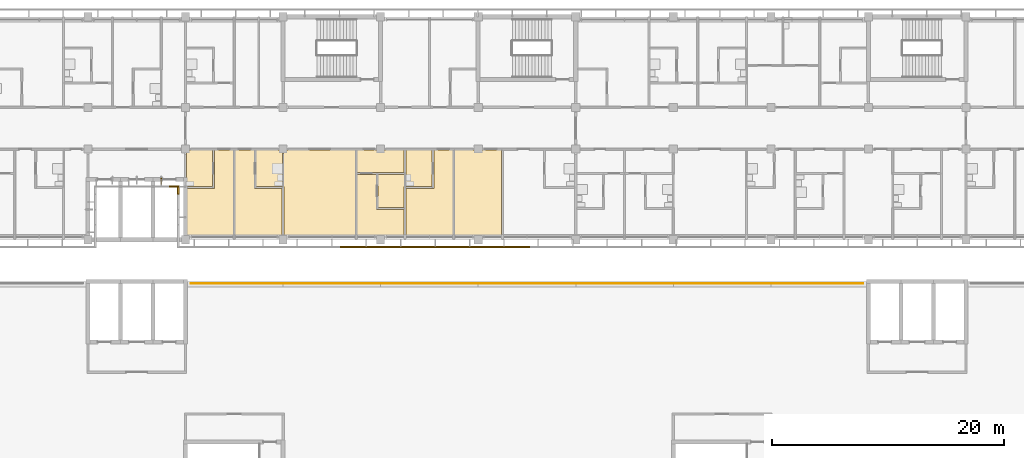
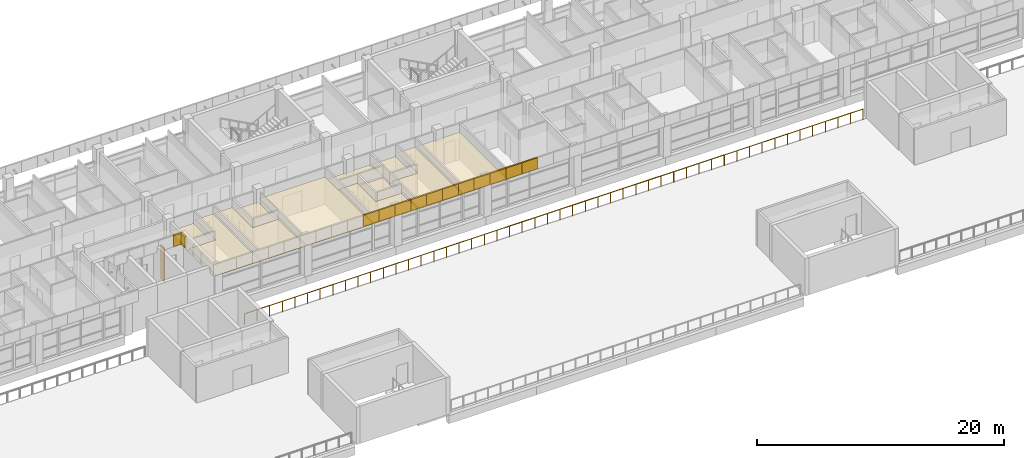
# One storey, part 39 of 46: 24 coverings, 1 railing, 1 shading device.
"""IFC4 building model written with IfcOpenShell, lengths in metres."""

from ifc_helpers import new_model, si_unit, direction, frame, origin, origin_2d, place, context, subcontext, project, spatial, polyline, rectangle, circle, outline, extrude, material, layer, layer_set, material_profile, profile_set, type_object, element, save


model = new_model("IFC4")

# Units and contexts
model_context = context("Model", 3, precision=1e-05, world=origin(), true_north=direction((0.0, 1.0)))
body_context = subcontext(model_context, "Body", "Model", "MODEL_VIEW")
ifc_project = project(units=[si_unit("LENGTHUNIT", "METRE"), si_unit("AREAUNIT", "SQUARE_METRE"), si_unit("VOLUMEUNIT", "CUBIC_METRE"), si_unit("PLANEANGLEUNIT", "RADIAN"), si_unit("MASSUNIT", "GRAM", prefix="KILO")], contexts=[model_context])

# Site, building, storey
site_placement = place(None, origin())
site = spatial("IfcSite", under=ifc_project, at=site_placement, CompositionType="ELEMENT")
building_placement = place(site_placement, origin())
building = spatial("IfcBuilding", under=site, at=building_placement, Name="Bougainvillea Quay General Hospital", CompositionType="ELEMENT")
storey_placement = place(building_placement, frame((0.0, 0.0, 28.800048828125)))
storey = spatial("IfcBuildingStorey", under=building, at=storey_placement, Name="L06", CompositionType="ELEMENT", Elevation=28.800048828125)

# Coverings
ifc_material_1 = material(Name="Powder-coated aluminium fascia, white", Category="aluminium")
ifc_layer_1 = layer(ifc_material_1, 0.14990234375)
ifc_layer_set_1 = layer_set([ifc_layer_1], Name="Powder-coated aluminium fascia, white")
covering_type_1 = type_object("IfcCoveringType", Name="Aluminium fascia band white 150x1100", PredefinedType="CLADDING", material=ifc_layer_set_1)
covering_1_placement = place(storey_placement, frame((74.199951171875, 145.050048828125, 3.349853515625), z_axis=(0.0, 0.0, 1.0), x_axis=(1.0, 0.0, 0.0)))
element("IfcCovering", 1, at=covering_1_placement, inside=storey, type_object=covering_type_1, Name="Fascia band white e0 136", PredefinedType="CLADDING", context=body_context, shape_type="SweptSolid", body=[
    extrude(outline(polyline([(0.0, 0.0), (0.85009765625, 0.0), (0.699951171875, -0.150146484375), (0.0, -0.150146484375), (0.0, 0.0)])), origin(), (0.0, 0.0, 1.0), 1.10009765625),
])
covering_2_placement = place(storey_placement, frame((75.050048828125, 145.050048828125, 3.349853515625), z_axis=(0.0, 0.0, 1.0), x_axis=(0.0, -1.0, 0.0)))
element("IfcCovering", 2, at=covering_2_placement, inside=storey, type_object=covering_type_1, Name="Fascia band white e0 137", PredefinedType="CLADDING", context=body_context, shape_type="SweptSolid", body=[
    extrude(outline(polyline([(0.0, 0.0), (0.75, 0.0), (0.75, -0.150146484375), (0.150146484375, -0.150146484375), (0.0, 0.0)])), origin(), (0.0, 0.0, 1.0), 1.10009765625),
])
covering_3_placement = place(storey_placement, frame((88.941162109375, 139.85009765625, 3.349853515625), z_axis=(0.0, 0.0, 1.0), x_axis=(1.0, 0.0, 0.0)))
element("IfcCovering", 3, at=covering_3_placement, inside=storey, type_object=covering_type_1, Name="Fascia band white e0 150", PredefinedType="CLADDING", context=body_context, shape_type="SweptSolid", body=[
    extrude(outline(polyline([(0.0, 0.0), (1.482421875, 0.0), (1.482421875, -0.150146484375), (0.0, -0.150146484375), (0.0, 0.0)])), origin(), (0.0, 0.0, 1.0), 1.10009765625),
])
covering_4_placement = place(storey_placement, frame((90.423583984375, 139.85009765625, 3.349853515625), z_axis=(0.0, 0.0, 1.0), x_axis=(1.0, 0.0, 0.0)))
element("IfcCovering", 4, at=covering_4_placement, inside=storey, type_object=covering_type_1, Name="Fascia band white e0 151", PredefinedType="CLADDING", context=body_context, shape_type="SweptSolid", body=[
    extrude(outline(polyline([(0.0, 0.0), (1.482177734375, 0.0), (1.482177734375, -0.150146484375), (0.0, -0.150146484375), (0.0, 0.0)])), origin(), (0.0, 0.0, 1.0), 1.10009765625),
])
for number, where, z_axis, x_axis, name in (
    (5, (91.90576171875, 139.85009765625, 3.349853515625), (0.0, 0.0, 1.0), (1.0, 0.0, 0.0), "Fascia band white e0 152"),
    (6, (93.38818359375, 139.85009765625, 3.349853515625), (0.0, 0.0, 1.0), (1.0, 0.0, 0.0), "Fascia band white e0 153"),
    (7, (94.87060546875, 139.85009765625, 3.349853515625), (0.0, 0.0, 1.0), (1.0, 0.0, 0.0), "Fascia band white e0 154"),
):
    element("IfcCovering", number, at=place(storey_placement, frame(where, z_axis=z_axis, x_axis=x_axis)), inside=storey, type_object=covering_type_1, Name=name, PredefinedType="CLADDING", context=body_context, shape_type="SweptSolid", body=[
        extrude(outline(polyline([(0.0, 0.0), (1.482421875, 0.0), (1.482421875, -0.150146484375), (0.0, -0.150146484375), (0.0, 0.0)])), origin(), (0.0, 0.0, 1.0), 1.10009765625),
    ])
covering_5_placement = place(storey_placement, frame((96.35302734375, 139.85009765625, 3.349853515625), z_axis=(0.0, 0.0, 1.0), x_axis=(1.0, 0.0, 0.0)))
element("IfcCovering", 8, at=covering_5_placement, inside=storey, type_object=covering_type_1, Name="Fascia band white e0 155", PredefinedType="CLADDING", context=body_context, shape_type="SweptSolid", body=[
    extrude(outline(polyline([(0.0, 0.0), (1.482177734375, 0.0), (1.482177734375, -0.150146484375), (0.0, -0.150146484375), (0.0, 0.0)])), origin(), (0.0, 0.0, 1.0), 1.10009765625),
])
for number, where, z_axis, x_axis, name in (
    (9, (97.835205078125, 139.85009765625, 3.349853515625), (0.0, 0.0, 1.0), (1.0, 0.0, 0.0), "Fascia band white e0 156"),
    (10, (99.317626953125, 139.85009765625, 3.349853515625), (0.0, 0.0, 1.0), (1.0, 0.0, 0.0), "Fascia band white e0 157"),
    (11, (100.800048828125, 139.85009765625, 3.349853515625), (0.0, 0.0, 1.0), (1.0, 0.0, 0.0), "Fascia band white e0 158"),
):
    element("IfcCovering", number, at=place(storey_placement, frame(where, z_axis=z_axis, x_axis=x_axis)), inside=storey, type_object=covering_type_1, Name=name, PredefinedType="CLADDING", context=body_context, shape_type="SweptSolid", body=[
        extrude(outline(polyline([(0.0, 0.0), (1.482421875, 0.0), (1.482421875, -0.150146484375), (0.0, -0.150146484375), (0.0, 0.0)])), origin(), (0.0, 0.0, 1.0), 1.10009765625),
    ])
covering_6_placement = place(storey_placement, frame((102.282470703125, 139.85009765625, 3.349853515625), z_axis=(0.0, 0.0, 1.0), x_axis=(1.0, 0.0, 0.0)))
element("IfcCovering", 12, at=covering_6_placement, inside=storey, type_object=covering_type_1, Name="Fascia band white e0 159", PredefinedType="CLADDING", context=body_context, shape_type="SweptSolid", body=[
    extrude(outline(polyline([(0.0, 0.0), (1.482177734375, 0.0), (1.482177734375, -0.150146484375), (0.0, -0.150146484375), (0.0, 0.0)])), origin(), (0.0, 0.0, 1.0), 1.10009765625),
])
covering_7_placement = place(storey_placement, frame((103.7646484375, 139.85009765625, 3.349853515625), z_axis=(0.0, 0.0, 1.0), x_axis=(1.0, 0.0, 0.0)))
element("IfcCovering", 13, at=covering_7_placement, inside=storey, type_object=covering_type_1, Name="Fascia band white e0 160", PredefinedType="CLADDING", context=body_context, shape_type="SweptSolid", body=[
    extrude(outline(polyline([(0.0, 0.0), (1.482421875, 0.0), (1.482421875, -0.150146484375), (0.0, -0.150146484375), (0.0, 0.0)])), origin(), (0.0, 0.0, 1.0), 1.10009765625),
])

# Railing
ifc_material_2 = material(Name="Stainless steel guard, brushed grade 316", Category="steel")
railing_type = type_object("IfcRailingType", Name="Stainless steel guard 1100", PredefinedType="GUARDRAIL", material=ifc_material_2)
railing_placement = place(storey_placement, frame((76.050048828125, 136.64990234375, 0.0)))
element("IfcRailing", 14, at=railing_placement, inside=storey, type_object=railing_type, Name="Guard G05", PredefinedType="GUARDRAIL", context=body_context, shape_type="SweptSolid", body=[
    extrude(circle(Radius=0.02392578125, at=origin_2d()), frame((0.0, 0.0, 1.076171875), z_axis=(1.0, 0.0, 0.0), x_axis=(0.0, 1.0, 0.0)), (0.0, 0.0, 1.0), 57.89990234375),
    extrude(circle(Radius=0.02099609375, at=origin_2d()), origin(), (0.0, 0.0, 1.0), 1.052001953125),
    extrude(circle(Radius=0.02099609375, at=origin_2d()), frame((1.181640625, 0.0, 0.0)), (0.0, 0.0, 1.0), 1.052001953125),
    extrude(circle(Radius=0.02099609375, at=origin_2d()), frame((2.36328125, 0.0, 0.0)), (0.0, 0.0, 1.0), 1.052001953125),
    extrude(circle(Radius=0.02099609375, at=origin_2d()), frame((3.544921875, 0.0, 0.0)), (0.0, 0.0, 1.0), 1.052001953125),
    extrude(circle(Radius=0.02099609375, at=origin_2d()), frame((4.7265625, 0.0, 0.0)), (0.0, 0.0, 1.0), 1.052001953125),
    extrude(circle(Radius=0.02099609375, at=origin_2d()), frame((5.908203125, 0.0, 0.0)), (0.0, 0.0, 1.0), 1.052001953125),
    extrude(circle(Radius=0.02099609375, at=origin_2d()), frame((7.08984375, 0.0, 0.0)), (0.0, 0.0, 1.0), 1.052001953125),
    extrude(circle(Radius=0.02099609375, at=origin_2d()), frame((8.271484375, 0.0, 0.0)), (0.0, 0.0, 1.0), 1.052001953125),
    extrude(circle(Radius=0.02099609375, at=origin_2d()), frame((9.453125, 0.0, 0.0)), (0.0, 0.0, 1.0), 1.052001953125),
    extrude(circle(Radius=0.02099609375, at=origin_2d()), frame((10.634765625, 0.0, 0.0)), (0.0, 0.0, 1.0), 1.052001953125),
    extrude(circle(Radius=0.02099609375, at=origin_2d()), frame((11.81640625, 0.0, 0.0)), (0.0, 0.0, 1.0), 1.052001953125),
    extrude(circle(Radius=0.02099609375, at=origin_2d()), frame((12.998046875, 0.0, 0.0)), (0.0, 0.0, 1.0), 1.052001953125),
    extrude(circle(Radius=0.02099609375, at=origin_2d()), frame((14.1796875, 0.0, 0.0)), (0.0, 0.0, 1.0), 1.052001953125),
    extrude(circle(Radius=0.02099609375, at=origin_2d()), frame((15.361083984375, 0.0, 0.0)), (0.0, 0.0, 1.0), 1.052001953125),
    extrude(circle(Radius=0.02099609375, at=origin_2d()), frame((16.542724609375, 0.0, 0.0)), (0.0, 0.0, 1.0), 1.052001953125),
    extrude(circle(Radius=0.02099609375, at=origin_2d()), frame((17.724365234375, 0.0, 0.0)), (0.0, 0.0, 1.0), 1.052001953125),
    extrude(circle(Radius=0.02099609375, at=origin_2d()), frame((18.906005859375, 0.0, 0.0)), (0.0, 0.0, 1.0), 1.052001953125),
    extrude(circle(Radius=0.02099609375, at=origin_2d()), frame((20.087646484375, 0.0, 0.0)), (0.0, 0.0, 1.0), 1.052001953125),
    extrude(circle(Radius=0.02099609375, at=origin_2d()), frame((21.269287109375, 0.0, 0.0)), (0.0, 0.0, 1.0), 1.052001953125),
    extrude(circle(Radius=0.02099609375, at=origin_2d()), frame((22.450927734375, 0.0, 0.0)), (0.0, 0.0, 1.0), 1.052001953125),
    extrude(circle(Radius=0.02099609375, at=origin_2d()), frame((23.632568359375, 0.0, 0.0)), (0.0, 0.0, 1.0), 1.052001953125),
    extrude(circle(Radius=0.02099609375, at=origin_2d()), frame((24.814208984375, 0.0, 0.0)), (0.0, 0.0, 1.0), 1.052001953125),
    extrude(circle(Radius=0.02099609375, at=origin_2d()), frame((25.995849609375, 0.0, 0.0)), (0.0, 0.0, 1.0), 1.052001953125),
    extrude(circle(Radius=0.02099609375, at=origin_2d()), frame((27.177490234375, 0.0, 0.0)), (0.0, 0.0, 1.0), 1.052001953125),
    extrude(circle(Radius=0.02099609375, at=origin_2d()), frame((28.359130859375, 0.0, 0.0)), (0.0, 0.0, 1.0), 1.052001953125),
    extrude(circle(Radius=0.02099609375, at=origin_2d()), frame((29.540771484375, 0.0, 0.0)), (0.0, 0.0, 1.0), 1.052001953125),
    extrude(circle(Radius=0.02099609375, at=origin_2d()), frame((30.722412109375, 0.0, 0.0)), (0.0, 0.0, 1.0), 1.052001953125),
    extrude(circle(Radius=0.02099609375, at=origin_2d()), frame((31.904052734375, 0.0, 0.0)), (0.0, 0.0, 1.0), 1.052001953125),
    extrude(circle(Radius=0.02099609375, at=origin_2d()), frame((33.085693359375, 0.0, 0.0)), (0.0, 0.0, 1.0), 1.052001953125),
    extrude(circle(Radius=0.02099609375, at=origin_2d()), frame((34.267333984375, 0.0, 0.0)), (0.0, 0.0, 1.0), 1.052001953125),
    extrude(circle(Radius=0.02099609375, at=origin_2d()), frame((35.448974609375, 0.0, 0.0)), (0.0, 0.0, 1.0), 1.052001953125),
    extrude(circle(Radius=0.02099609375, at=origin_2d()), frame((36.630615234375, 0.0, 0.0)), (0.0, 0.0, 1.0), 1.052001953125),
    extrude(circle(Radius=0.02099609375, at=origin_2d()), frame((37.812255859375, 0.0, 0.0)), (0.0, 0.0, 1.0), 1.052001953125),
    extrude(circle(Radius=0.02099609375, at=origin_2d()), frame((38.993896484375, 0.0, 0.0)), (0.0, 0.0, 1.0), 1.052001953125),
    extrude(circle(Radius=0.02099609375, at=origin_2d()), frame((40.175537109375, 0.0, 0.0)), (0.0, 0.0, 1.0), 1.052001953125),
    extrude(circle(Radius=0.02099609375, at=origin_2d()), frame((41.357177734375, 0.0, 0.0)), (0.0, 0.0, 1.0), 1.052001953125),
    extrude(circle(Radius=0.02099609375, at=origin_2d()), frame((42.538818359375, 0.0, 0.0)), (0.0, 0.0, 1.0), 1.052001953125),
    extrude(circle(Radius=0.02099609375, at=origin_2d()), frame((43.72021484375, 0.0, 0.0)), (0.0, 0.0, 1.0), 1.052001953125),
    extrude(circle(Radius=0.02099609375, at=origin_2d()), frame((44.90185546875, 0.0, 0.0)), (0.0, 0.0, 1.0), 1.052001953125),
    extrude(circle(Radius=0.02099609375, at=origin_2d()), frame((46.08349609375, 0.0, 0.0)), (0.0, 0.0, 1.0), 1.052001953125),
    extrude(circle(Radius=0.02099609375, at=origin_2d()), frame((47.26513671875, 0.0, 0.0)), (0.0, 0.0, 1.0), 1.052001953125),
    extrude(circle(Radius=0.02099609375, at=origin_2d()), frame((48.44677734375, 0.0, 0.0)), (0.0, 0.0, 1.0), 1.052001953125),
    extrude(circle(Radius=0.02099609375, at=origin_2d()), frame((49.62841796875, 0.0, 0.0)), (0.0, 0.0, 1.0), 1.052001953125),
    extrude(circle(Radius=0.02099609375, at=origin_2d()), frame((50.81005859375, 0.0, 0.0)), (0.0, 0.0, 1.0), 1.052001953125),
    extrude(circle(Radius=0.02099609375, at=origin_2d()), frame((51.99169921875, 0.0, 0.0)), (0.0, 0.0, 1.0), 1.052001953125),
    extrude(circle(Radius=0.02099609375, at=origin_2d()), frame((53.17333984375, 0.0, 0.0)), (0.0, 0.0, 1.0), 1.052001953125),
    extrude(circle(Radius=0.02099609375, at=origin_2d()), frame((54.35498046875, 0.0, 0.0)), (0.0, 0.0, 1.0), 1.052001953125),
    extrude(circle(Radius=0.02099609375, at=origin_2d()), frame((55.53662109375, 0.0, 0.0)), (0.0, 0.0, 1.0), 1.052001953125),
    extrude(circle(Radius=0.02099609375, at=origin_2d()), frame((56.71826171875, 0.0, 0.0)), (0.0, 0.0, 1.0), 1.052001953125),
    extrude(circle(Radius=0.02099609375, at=origin_2d()), frame((57.89990234375, 0.0, 0.0)), (0.0, 0.0, 1.0), 1.052001953125),
])

# Coverings
ifc_material_3 = material(Name="Mineral fibre ceiling tile")
ifc_layer_2 = layer(ifc_material_3, 0.030029296875)
ifc_layer_set_2 = layer_set([ifc_layer_2], Name="Mineral fibre ceiling tile")
covering_type_2 = type_object("IfcCoveringType", Name="Suspended ceiling mineral fibre tile", PredefinedType="CEILING", material=ifc_layer_set_2)
covering_8_placement = place(storey_placement, frame((0.0, 0.0, 2.699951171875)))
element("IfcCovering", 15, at=covering_8_placement, inside=storey, type_object=covering_type_2, Name="Ceiling Oncology Patient Room 06A12", PredefinedType="CEILING", context=body_context, shape_type="SweptSolid", body=[
    extrude(outline(polyline([(79.72509765625, 140.39990234375), (79.72509765625, 148.125), (78.074951171875, 148.125), (78.074951171875, 144.824951171875), (75.60009765625, 144.824951171875), (75.60009765625, 140.39990234375), (79.72509765625, 140.39990234375)])), origin(), (0.0, 0.0, 1.0), 0.030029296875),
])
covering_9_placement = place(storey_placement, frame((0.0, 0.0, 2.39990234375)))
element("IfcCovering", 16, at=covering_9_placement, inside=storey, type_object=covering_type_2, Name="Ceiling En-suite 06A12", PredefinedType="CEILING", context=body_context, shape_type="SweptSolid", body=[
    extrude(outline(polyline([(75.60009765625, 144.97509765625), (77.925048828125, 144.97509765625), (77.925048828125, 148.125), (75.699951171875, 148.125), (75.699951171875, 145.60009765625), (75.60009765625, 145.60009765625), (75.60009765625, 144.97509765625)])), origin(), (0.0, 0.0, 1.0), 0.030029296875),
])
covering_10_placement = place(storey_placement, frame((0.0, 0.0, 2.699951171875)))
element("IfcCovering", 17, at=covering_10_placement, inside=storey, type_object=covering_type_2, Name="Ceiling Oncology Patient Room 06A13", PredefinedType="CEILING", context=body_context, shape_type="SweptSolid", body=[
    extrude(outline(polyline([(83.925048828125, 140.39990234375), (83.925048828125, 144.824951171875), (81.52490234375, 144.824951171875), (81.52490234375, 148.125), (79.875, 148.125), (79.875, 140.39990234375), (83.925048828125, 140.39990234375)])), origin(), (0.0, 0.0, 1.0), 0.030029296875),
])
covering_11_placement = place(storey_placement, frame((0.0, 0.0, 2.39990234375)))
element("IfcCovering", 18, at=covering_11_placement, inside=storey, type_object=covering_type_2, Name="Ceiling En-suite 06A13", PredefinedType="CEILING", context=body_context, shape_type="SweptSolid", body=[
    extrude(outline(polyline([(83.949951171875, 148.125), (81.675048828125, 148.125), (81.675048828125, 144.97509765625), (83.949951171875, 144.97509765625), (83.949951171875, 148.125)])), origin(), (0.0, 0.0, 1.0), 0.030029296875),
])
covering_12_placement = place(storey_placement, frame((0.0, 0.0, 2.699951171875)))
element("IfcCovering", 19, at=covering_12_placement, inside=storey, type_object=covering_type_2, Name="Ceiling Nurses' Station 06A14", PredefinedType="CEILING", context=body_context, shape_type="SweptSolid", body=[
    extrude(outline(polyline([(90.22509765625, 140.39990234375), (90.22509765625, 148.125), (84.050048828125, 148.125), (84.050048828125, 144.97509765625), (84.074951171875, 144.97509765625), (84.074951171875, 140.39990234375), (90.22509765625, 140.39990234375)])), origin(), (0.0, 0.0, 1.0), 0.030029296875),
])
covering_13_placement = place(storey_placement, frame((0.0, 0.0, 2.699951171875)))
element("IfcCovering", 20, at=covering_13_placement, inside=storey, type_object=covering_type_2, Name="Ceiling Protective Isolation Room 06A15", PredefinedType="CEILING", context=body_context, shape_type="SweptSolid", body=[
    extrude(outline(polyline([(94.425048828125, 140.39990234375), (94.425048828125, 143.02490234375), (92.02490234375, 143.02490234375), (92.02490234375, 146.02490234375), (90.375, 146.02490234375), (90.375, 140.39990234375), (94.425048828125, 140.39990234375)])), origin(), (0.0, 0.0, 1.0), 0.030029296875),
])
covering_14_placement = place(storey_placement, frame((0.0, 0.0, 2.39990234375)))
element("IfcCovering", 21, at=covering_14_placement, inside=storey, type_object=covering_type_2, Name="Ceiling Isolation Anteroom 06A15", PredefinedType="CEILING", context=body_context, shape_type="SweptSolid", body=[
    extrude(outline(polyline([(94.425048828125, 146.175048828125), (94.425048828125, 148.125), (90.375, 148.125), (90.375, 146.175048828125), (94.425048828125, 146.175048828125)])), origin(), (0.0, 0.0, 1.0), 0.030029296875),
])
covering_15_placement = place(storey_placement, frame((0.0, 0.0, 2.39990234375)))
element("IfcCovering", 22, at=covering_15_placement, inside=storey, type_object=covering_type_2, Name="Ceiling En-suite 06A15", PredefinedType="CEILING", context=body_context, shape_type="SweptSolid", body=[
    extrude(outline(polyline([(94.425048828125, 144.97509765625), (94.449951171875, 144.97509765625), (94.449951171875, 146.02490234375), (92.175048828125, 146.02490234375), (92.175048828125, 143.175048828125), (94.425048828125, 143.175048828125), (94.425048828125, 144.97509765625)])), origin(), (0.0, 0.0, 1.0), 0.030029296875),
])
covering_16_placement = place(storey_placement, frame((0.0, 0.0, 2.699951171875)))
element("IfcCovering", 23, at=covering_16_placement, inside=storey, type_object=covering_type_2, Name="Ceiling Oncology Patient Room 06A16", PredefinedType="CEILING", context=body_context, shape_type="SweptSolid", body=[
    extrude(outline(polyline([(98.625, 140.39990234375), (98.625, 148.125), (96.97509765625, 148.125), (96.97509765625, 144.824951171875), (94.574951171875, 144.824951171875), (94.574951171875, 140.39990234375), (98.625, 140.39990234375)])), origin(), (0.0, 0.0, 1.0), 0.030029296875),
])
covering_17_placement = place(storey_placement, frame((0.0, 0.0, 2.39990234375)))
element("IfcCovering", 24, at=covering_17_placement, inside=storey, type_object=covering_type_2, Name="Ceiling En-suite 06A16", PredefinedType="CEILING", context=body_context, shape_type="SweptSolid", body=[
    extrude(outline(polyline([(96.824951171875, 148.125), (94.574951171875, 148.125), (94.574951171875, 146.02490234375), (94.550048828125, 146.02490234375), (94.550048828125, 144.97509765625), (96.824951171875, 144.97509765625), (96.824951171875, 148.125)])), origin(), (0.0, 0.0, 1.0), 0.030029296875),
])
covering_18_placement = place(storey_placement, frame((0.0, 0.0, 2.699951171875)))
element("IfcCovering", 25, at=covering_18_placement, inside=storey, type_object=covering_type_2, Name="Ceiling Treatment and Clean Utility Room 06A17", PredefinedType="CEILING", context=body_context, shape_type="SweptSolid", body=[
    extrude(outline(polyline([(102.824951171875, 140.39990234375), (102.824951171875, 148.125), (98.77490234375, 148.125), (98.77490234375, 140.39990234375), (102.824951171875, 140.39990234375)])), origin(), (0.0, 0.0, 1.0), 0.030029296875),
])

# Shading device
ifc_material_4 = material(Name="Powder-coated aluminium fin, white", Category="aluminium")
ifc_material_profile = material_profile(ifc_material_4, rectangle(XDim=0.550048828125, YDim=0.10009765625, at=origin_2d()))
ifc_profile_set = profile_set([ifc_material_profile], Name="Powder-coated aluminium fin, white")
shading_device_type = type_object("IfcShadingDeviceType", Name="Vertical fin 550x100", PredefinedType="USERDEFINED", material=ifc_profile_set)
shading_device_placement = place(storey_placement, frame((73.5, 145.455078125, 0.0), z_axis=(0.0, 0.0, 1.0), x_axis=(0.0, -1.0, 0.0)))
element("IfcShadingDevice", 26, at=shading_device_placement, inside=storey, type_object=shading_device_type, Name="Vertical fin V5A L06 04.1", ObjectType="Vertical fin", PredefinedType="USERDEFINED", context=body_context, shape_type="SweptSolid", body=[
    extrude(rectangle(XDim=0.550048828125, YDim=0.10009765625, at=origin_2d()), origin(), (0.0, 0.0, 1.0), 3.329833984375),
])

save(model, "model.ifc")
